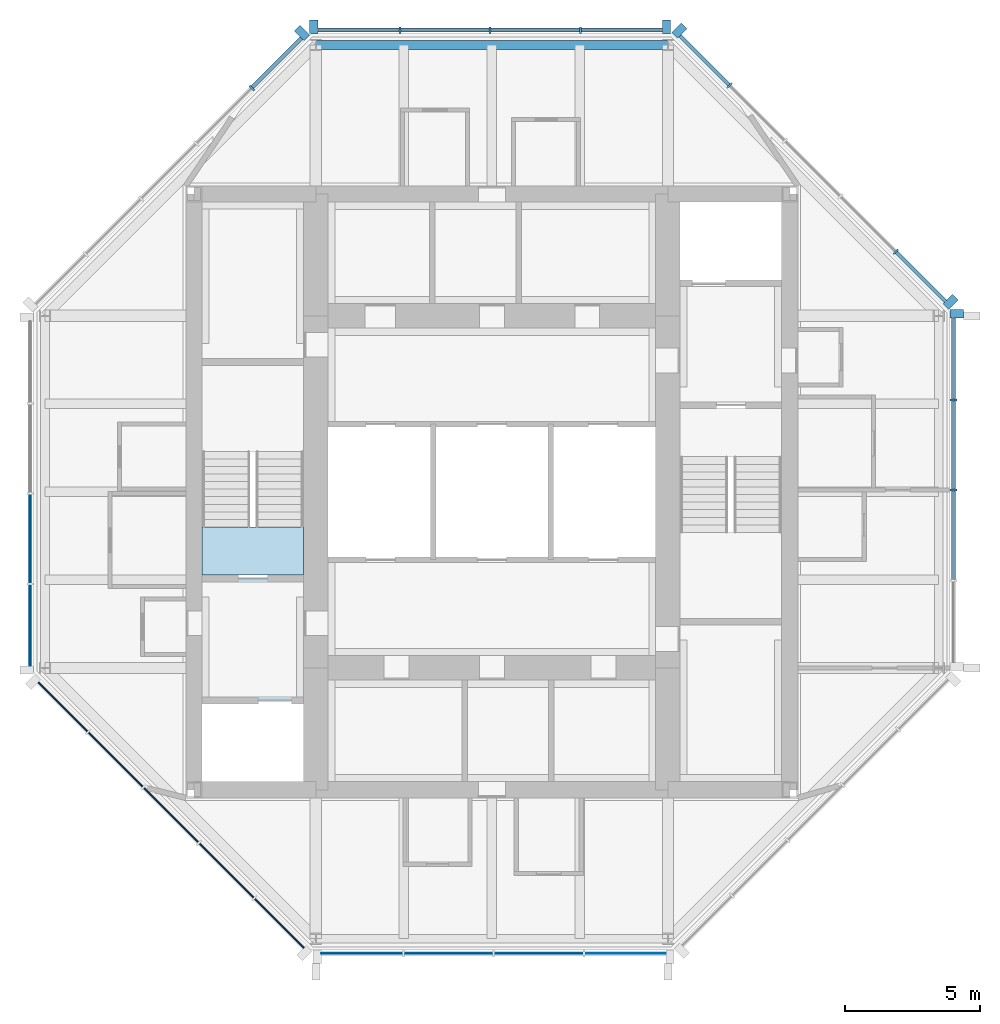
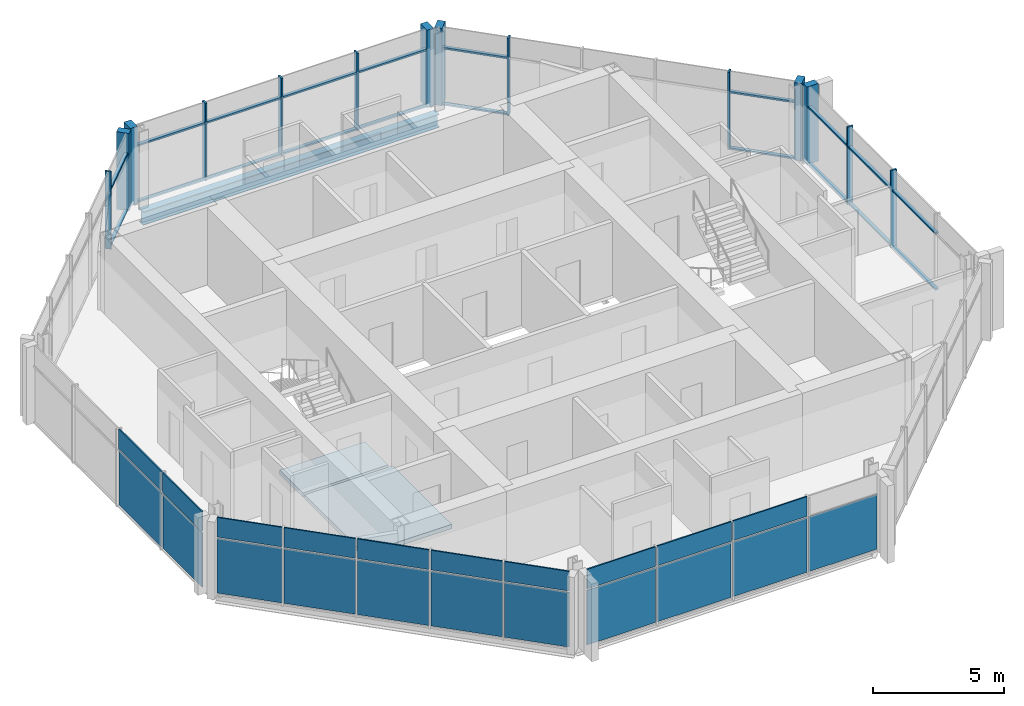
# One storey, part 3 of 8: 34 members, 21 plates, 2 slabs, 1 beam, 8 elements without a shape of their own.
"""IFC4 building model written with IfcOpenShell, lengths in metres."""

import ifcopenshell
import ifcopenshell.guid

model = None  # the IFC model being written
_history = None  # IfcOwnerHistory: only IFC2X3 demands one
_inside = {}  # id of a spatial element -> (the spatial element, [elements in it])
_under = {}  # id of a project, library or spatial element -> (it, [spatial elements below it])
_declared = {}  # id of a project -> (the project, [libraries it declares])
_typed = {}  # id of a type object -> (the type object, [elements of that type])
_made_of = {}  # id of a material, layer set ... -> (it, [elements and type objects made of it])


def new_model(schema):
    """Start an empty IFC model of exactly this schema.

    Asked for "IFC4X3", IfcOpenShell would pick the latest addendum, in which some entities
    have other attributes; the version numbers below select the first issue.
    IFC2X3 requires an IfcOwnerHistory on every rooted entity: one is made here for all.
    """
    global model, _history
    if schema == "IFC4X3":
        model = ifcopenshell.file(schema_version=(4, 3, 0, 0))
    else:
        model = ifcopenshell.file(schema=schema)
    _inside.clear()
    _under.clear()
    _declared.clear()
    _typed.clear()
    _made_of.clear()
    _history = None
    if model.schema == "IFC2X3":
        org = make("IfcOrganization", Name="unknown")
        user = make(
            "IfcPersonAndOrganization",
            ThePerson=make("IfcPerson", FamilyName="unknown"),
            TheOrganization=org,
        )
        app = make(
            "IfcApplication",
            ApplicationDeveloper=org,
            Version="unknown",
            ApplicationFullName="unknown",
            ApplicationIdentifier="unknown",
        )
        _history = make(
            "IfcOwnerHistory",
            OwningUser=user,
            OwningApplication=app,
            ChangeAction="ADDED",
            CreationDate=0,
        )
    return model


def make(cls, **values):
    """One entity of the class cls with the attributes given. An attribute that is None is left unset."""
    return model.create_entity(
        cls, **{name: value for name, value in values.items() if value is not None}
    )


def rooted(cls, **values):
    """An entity with a GlobalId (a new one), such as an element, a storey or a relation."""
    return make(cls, GlobalId=ifcopenshell.guid.new(), OwnerHistory=_history, **values)


def si_unit(unit_type, name, prefix=None):
    """IfcSIUnit, for example si_unit("LENGTHUNIT", "METRE", prefix="MILLI")."""
    return make("IfcSIUnit", UnitType=unit_type, Prefix=prefix, Name=name)


def assignment(units):
    """IfcUnitAssignment: the units of a project."""
    return None if units is None else make("IfcUnitAssignment", Units=units)


def point(xyz):
    """IfcCartesianPoint."""
    return None if xyz is None else make("IfcCartesianPoint", Coordinates=xyz)


def direction(xyz):
    """IfcDirection."""
    return None if xyz is None else make("IfcDirection", DirectionRatios=xyz)


def frame(location, z_axis=None, x_axis=None):
    """IfcAxis2Placement3D, a coordinate frame: its origin and axes. An axis left out is left unset."""
    return make(
        "IfcAxis2Placement3D",
        Location=point(location),
        Axis=direction(z_axis),
        RefDirection=direction(x_axis),
    )


def frame_2d(location, x_axis=None):
    """IfcAxis2Placement2D, a coordinate frame in the plane: its origin and x axis."""
    return make(
        "IfcAxis2Placement2D", Location=point(location), RefDirection=direction(x_axis)
    )


def origin():
    """The frame at (0, 0, 0) with its axes left unset."""
    return frame((0.0, 0.0, 0.0))


def origin_2d():
    """The frame at (0, 0) in the plane with its x axis left unset."""
    return frame_2d((0.0, 0.0))


def place(relative_to, where):
    """IfcLocalPlacement: puts the frame where relative to a parent placement (None: the world)."""
    return make(
        "IfcLocalPlacement", PlacementRelTo=relative_to, RelativePlacement=where
    )


def context(
    kind, dimensions, precision=None, world=None, true_north=None, identifier=None
):
    """IfcGeometricRepresentationContext, for example the 3D "Model" context."""
    return make(
        "IfcGeometricRepresentationContext",
        ContextIdentifier=identifier,
        ContextType=kind,
        CoordinateSpaceDimension=dimensions,
        Precision=precision,
        WorldCoordinateSystem=world,
        TrueNorth=true_north,
    )


def subcontext(parent, identifier, kind, view, scale=None):
    """IfcGeometricRepresentationSubContext, for example "Body" below "Model"."""
    return make(
        "IfcGeometricRepresentationSubContext",
        ContextIdentifier=identifier,
        ContextType=kind,
        ParentContext=parent,
        TargetScale=scale,
        TargetView=view,
    )


def project(units=None, contexts=None):
    """IfcProject with its units and contexts."""
    return rooted(
        "IfcProject",
        Name="project",
        RepresentationContexts=contexts,
        UnitsInContext=assignment(units),
    )


def spatial(cls, under=None, at=None, **own):
    """A site, building, storey or space (cls), placed at a placement, below another one or the project."""
    s = rooted(cls, ObjectPlacement=at, **own)
    if under is not None:
        _under.setdefault(under.id(), (under, []))[1].append(s)
    return s


def polyline(points):
    """IfcPolyline through the points."""
    return make("IfcPolyline", Points=[point(p) for p in points])


def profile(cls, at=None, kind="AREA", **sizes):
    """A parametric profile (cls). Its sizes go by their IFC names, for example OverallWidth=200.0."""
    return make(cls, ProfileType=kind, Position=at, **sizes)


def rectangle(**sizes):
    """IfcRectangleProfileDef."""
    return profile("IfcRectangleProfileDef", **sizes)


def i_section(**sizes):
    """IfcIShapeProfileDef."""
    return profile("IfcIShapeProfileDef", **sizes)


def outline(outer, holes=None, kind="AREA"):
    """IfcArbitraryClosedProfileDef: a profile drawn as a closed curve; with holes, ...WithVoids."""
    if holes is None:
        return make("IfcArbitraryClosedProfileDef", ProfileType=kind, OuterCurve=outer)
    return make(
        "IfcArbitraryProfileDefWithVoids",
        ProfileType=kind,
        OuterCurve=outer,
        InnerCurves=holes,
    )


def extrude(swept, where, along, depth):
    """IfcExtrudedAreaSolid: the profile swept, set in the frame where, extruded along a direction by depth."""
    return make(
        "IfcExtrudedAreaSolid",
        SweptArea=swept,
        Position=where,
        ExtrudedDirection=direction(along),
        Depth=depth,
    )


def shape(context_of_items, identifier, shape_type, items):
    """IfcShapeRepresentation: the items that make up one representation, for example the "Body"."""
    return make(
        "IfcShapeRepresentation",
        ContextOfItems=context_of_items,
        RepresentationIdentifier=identifier,
        RepresentationType=shape_type,
        Items=items,
    )


def material(Name=None, Category=None):
    """IfcMaterial."""
    return make("IfcMaterial", Name=Name, Category=Category)


def layer(
    of_material, thickness, ventilated=None, Name=None, Category=None, Priority=None
):
    """IfcMaterialLayer: one layer of a wall or slab, of a material (None: an air gap)."""
    return make(
        "IfcMaterialLayer",
        Material=of_material,
        LayerThickness=thickness,
        IsVentilated=ventilated,
        Name=Name,
        Category=Category,
        Priority=Priority,
    )


def layer_set(layers, Name=None):
    """IfcMaterialLayerSet."""
    return make("IfcMaterialLayerSet", MaterialLayers=layers, LayerSetName=Name)


def material_profile(
    of_material, cross_section, Name=None, Category=None, Priority=None
):
    """IfcMaterialProfile: a cross section and its material."""
    return make(
        "IfcMaterialProfile",
        Name=Name,
        Material=of_material,
        Profile=cross_section,
        Priority=Priority,
        Category=Category,
    )


def profile_set(profiles, Name=None, composite=None):
    """IfcMaterialProfileSet."""
    return make(
        "IfcMaterialProfileSet",
        Name=Name,
        MaterialProfiles=profiles,
        CompositeProfile=composite,
    )


def made_of(thing, what):
    """Note that an element or type object is made of a material, layer set ...; save() writes the relation."""
    if what is not None:
        _made_of.setdefault(what.id(), (what, []))[1].append(thing)
    return thing


def type_object(cls, material=None, **own):
    """A type object (cls), such as IfcWallType, which elements share."""
    return made_of(rooted(cls, **own), material)


def element(
    cls,
    number,
    at=None,
    inside=None,
    cuts=None,
    type_object=None,
    material=None,
    context=None,
    identifier="Body",
    shape_type=None,
    held_by="IfcProductDefinitionShape",
    body=None,
    shapes=None,
    **own,
):
    """One element of the class cls, such as IfcWall. Its Tag is "e" and its number.

    at: its placement. inside: the storey or other place that contains it. cuts: it is an
    opening in that element (IfcRelVoidsElement). A single representation is given by context,
    identifier, shape_type and body (its items); several are given by shapes. held_by: the class
    of the entity that holds the representations. save() writes the other relations.
    """
    e = rooted(cls, Tag="e%d" % number, ObjectPlacement=at, **own)
    if body is not None:
        shapes = [shape(context, identifier, shape_type, body)]
    if shapes is not None:
        e.Representation = make(held_by, Representations=shapes)
    if inside is not None:
        _inside.setdefault(inside.id(), (inside, []))[1].append(e)
    if cuts is not None:
        rooted(
            "IfcRelVoidsElement", RelatingBuildingElement=cuts, RelatedOpeningElement=e
        )
    if type_object is not None:
        _typed.setdefault(type_object.id(), (type_object, []))[1].append(e)
    return made_of(e, material)


def aggregate(whole, parts):
    """IfcRelAggregates: a whole, such as a stair, and the parts it consists of."""
    return rooted("IfcRelAggregates", RelatingObject=whole, RelatedObjects=parts)


def save(model, path):
    """Write the relations noted so far, then the file.

    IfcRelAggregates (storeys below a building ...), IfcRelContainedInSpatialStructure (elements
    in a storey), IfcRelDefinesByType, IfcRelAssociatesMaterial and IfcRelDeclares: one each for
    every whole, place, type object, material and project.
    """
    for whole, parts in _under.values():
        aggregate(whole, parts)
    for where, things in _inside.values():
        rooted(
            "IfcRelContainedInSpatialStructure",
            RelatedElements=things,
            RelatingStructure=where,
        )
    for kind, things in _typed.values():
        rooted("IfcRelDefinesByType", RelatedObjects=things, RelatingType=kind)
    for what, things in _made_of.values():
        rooted("IfcRelAssociatesMaterial", RelatedObjects=things, RelatingMaterial=what)
    for by, libraries in _declared.values():
        rooted("IfcRelDeclares", RelatingContext=by, RelatedDefinitions=libraries)
    model.write(path)


model = new_model("IFC4")

# Units and contexts
model_context = context("Model", 3, precision=1e-05, world=origin(), true_north=direction((0.0, 1.0)))
body_context = subcontext(model_context, "Body", "Model", "MODEL_VIEW")
ifc_project = project(units=[si_unit("LENGTHUNIT", "METRE"), si_unit("AREAUNIT", "SQUARE_METRE"), si_unit("VOLUMEUNIT", "CUBIC_METRE"), si_unit("PLANEANGLEUNIT", "RADIAN"), si_unit("MASSUNIT", "GRAM", prefix="KILO")], contexts=[model_context])

# Site, building, storey
site_placement = place(None, origin())
site = spatial("IfcSite", under=ifc_project, at=site_placement, CompositionType="ELEMENT")
building_placement = place(site_placement, origin())
building = spatial("IfcBuilding", under=site, at=building_placement, Name="Trevanion Tower", CompositionType="ELEMENT")
storey_placement = place(building_placement, frame((0.0, 0.0, 266.800048828125)))
storey = spatial("IfcBuildingStorey", under=building, at=storey_placement, Name="L65", CompositionType="ELEMENT", Elevation=266.800048828125)

# Curtain wall, members
ifc_material_1 = material(Name="Aluminium and glass", Category="aluminium")
curtain_wall_type = type_object("IfcCurtainWallType", Name="CW4 curtain wall", PredefinedType="USERDEFINED", material=ifc_material_1)
curtain_wall_1_placement = place(storey_placement, origin())
curtain_wall_1 = element("IfcCurtainWall", 1, at=curtain_wall_1_placement, inside=storey, type_object=curtain_wall_type, Name="CW4 L65 0", ObjectType="UNITISED CURTAIN WALL", PredefinedType="USERDEFINED")
ifc_material_2 = material(Name="Aluminium extrusion, anodised bronze", Category="aluminium")
ifc_material_profile_1 = material_profile(ifc_material_2, rectangle(XDim=0.074951171875, YDim=0.25, at=origin_2d()), Name="CW4 mullion")
ifc_profile_set_1 = profile_set([ifc_material_profile_1], Name="Aluminium extrusion, anodised bronze")
member_type_1 = type_object("IfcMemberType", Name="CW4 mullion", PredefinedType="MULLION", material=ifc_profile_set_1)
member_1_placement = place(storey_placement, frame((17.050048828125, 0.06494140625, -0.18994140625), z_axis=(0.0, 0.0, 1.0), x_axis=(0.0, 1.0, 0.0)))
member_1 = element("IfcMember", 2, at=member_1_placement, type_object=member_type_1, Name="CW4 mullion 3", PredefinedType="MULLION", context=body_context, shape_type="SweptSolid", body=[
    extrude(rectangle(XDim=0.074951171875, YDim=0.25, at=origin_2d()), origin(), (0.0, 0.0, 1.0), 3.599853515625),
])
member_2_placement = place(storey_placement, frame((17.050048828125, 3.396484375, -0.18994140625), z_axis=(0.0, 0.0, 1.0), x_axis=(0.0, 1.0, 0.0)))
member_2 = element("IfcMember", 3, at=member_2_placement, type_object=member_type_1, Name="CW4 mullion 4", PredefinedType="MULLION", context=body_context, shape_type="SweptSolid", body=[
    extrude(rectangle(XDim=0.074951171875, YDim=0.25, at=origin_2d()), origin(), (0.0, 0.0, 1.0), 3.599853515625),
])

curtain_wall_2_placement = place(storey_placement, origin())
curtain_wall_2 = element("IfcCurtainWall", 4, at=curtain_wall_2_placement, inside=storey, type_object=curtain_wall_type, Name="CW4 L65 1", ObjectType="UNITISED CURTAIN WALL", PredefinedType="USERDEFINED")
member_3_placement = place(storey_placement, frame((14.912109375, 8.86572265625, -0.18994140625), z_axis=(0.0, 0.0, 1.0), x_axis=(-0.707106781187, 0.707106781187, 0.0)))
member_3 = element("IfcMember", 5, at=member_3_placement, type_object=member_type_1, Name="CW4 mullion 2", PredefinedType="MULLION", context=body_context, shape_type="SweptSolid", body=[
    extrude(rectangle(XDim=0.074951171875, YDim=0.25, at=origin_2d()), origin(), (0.0, 0.0, 1.0), 3.599853515625),
])
member_4_placement = place(storey_placement, frame((8.77392578125, 15.00390625, -0.18994140625), z_axis=(0.0, 0.0, 1.0), x_axis=(-0.707106781187, 0.707106781187, 0.0)))
member_4 = element("IfcMember", 6, at=member_4_placement, type_object=member_type_1, Name="CW4 mullion 5", PredefinedType="MULLION", context=body_context, shape_type="SweptSolid", body=[
    extrude(rectangle(XDim=0.074951171875, YDim=0.25, at=origin_2d()), origin(), (0.0, 0.0, 1.0), 3.599853515625),
])

curtain_wall_3_placement = place(storey_placement, origin())
curtain_wall_3 = element("IfcCurtainWall", 7, at=curtain_wall_3_placement, inside=storey, type_object=curtain_wall_type, Name="CW4 L65 2", ObjectType="UNITISED CURTAIN WALL", PredefinedType="USERDEFINED")
member_5_placement = place(storey_placement, frame((3.266357421875, 17.050048828125, -0.18994140625), z_axis=(0.0, 0.0, 1.0), x_axis=(-1.0, 0.0, 0.0)))
member_5 = element("IfcMember", 8, at=member_5_placement, type_object=member_type_1, Name="CW4 mullion 2", PredefinedType="MULLION", context=body_context, shape_type="SweptSolid", body=[
    extrude(rectangle(XDim=0.074951171875, YDim=0.25, at=origin_2d()), origin(), (0.0, 0.0, 1.0), 3.599853515625),
])
member_6_placement = place(storey_placement, frame((-0.06494140625, 17.050048828125, -0.18994140625), z_axis=(0.0, 0.0, 1.0), x_axis=(-1.0, 0.0, 0.0)))
member_6 = element("IfcMember", 9, at=member_6_placement, type_object=member_type_1, Name="CW4 mullion 3", PredefinedType="MULLION", context=body_context, shape_type="SweptSolid", body=[
    extrude(rectangle(XDim=0.074951171875, YDim=0.25, at=origin_2d()), origin(), (0.0, 0.0, 1.0), 3.599853515625),
])
member_7_placement = place(storey_placement, frame((-3.396484375, 17.050048828125, -0.18994140625), z_axis=(0.0, 0.0, 1.0), x_axis=(-1.0, 0.0, 0.0)))
member_7 = element("IfcMember", 10, at=member_7_placement, type_object=member_type_1, Name="CW4 mullion 4", PredefinedType="MULLION", context=body_context, shape_type="SweptSolid", body=[
    extrude(rectangle(XDim=0.074951171875, YDim=0.25, at=origin_2d()), origin(), (0.0, 0.0, 1.0), 3.599853515625),
])

# Curtain wall, member
curtain_wall_4_placement = place(storey_placement, origin())
curtain_wall_4 = element("IfcCurtainWall", 11, at=curtain_wall_4_placement, inside=storey, type_object=curtain_wall_type, Name="CW4 L65 3", ObjectType="UNITISED CURTAIN WALL", PredefinedType="USERDEFINED")
member_8_placement = place(storey_placement, frame((-8.86572265625, 14.912109375, -0.18994140625), z_axis=(0.0, 0.0, 1.0), x_axis=(-0.707106781187, -0.707106781187, 0.0)))
member_8 = element("IfcMember", 12, at=member_8_placement, type_object=member_type_1, Name="CW4 mullion 2", PredefinedType="MULLION", context=body_context, shape_type="SweptSolid", body=[
    extrude(rectangle(XDim=0.074951171875, YDim=0.25, at=origin_2d()), origin(), (0.0, 0.0, 1.0), 3.599853515625),
])

# Member
ifc_material_3 = material(Name="Aluminium extrusion, anodised bronze", Category="aluminium")
ifc_material_profile_2 = material_profile(ifc_material_3, rectangle(XDim=0.300048828125, YDim=0.5, at=origin_2d()), Name="CW4 pier mullion")
ifc_profile_set_2 = profile_set([ifc_material_profile_2], Name="Aluminium extrusion, anodised bronze")
member_type_2 = type_object("IfcMemberType", Name="CW4 pier mullion", PredefinedType="MULLION", material=ifc_profile_set_2)
member_9_placement = place(storey_placement, frame((17.175048828125, 6.577880859375, -0.18994140625), z_axis=(0.0, 0.0, 1.0), x_axis=(0.0, 1.0, 0.0)))
member_9 = element("IfcMember", 13, at=member_9_placement, type_object=member_type_2, Name="CW4 pier mullion 5", PredefinedType="MULLION", context=body_context, shape_type="SweptSolid", body=[
    extrude(rectangle(XDim=0.300048828125, YDim=0.5, at=origin_2d()), origin(), (0.0, 0.0, 1.0), 3.599853515625),
])

member_10_placement = place(storey_placement, frame((16.9404296875, 7.01416015625, -0.18994140625), z_axis=(0.0, 0.0, 1.0), x_axis=(-0.707106781187, 0.707106781187, 0.0)))
member_10 = element("IfcMember", 14, at=member_10_placement, type_object=member_type_2, Name="CW4 pier mullion 1", PredefinedType="MULLION", context=body_context, shape_type="SweptSolid", body=[
    extrude(rectangle(XDim=0.300048828125, YDim=0.5, at=origin_2d()), origin(), (0.0, 0.0, 1.0), 3.599853515625),
])

member_11_placement = place(storey_placement, frame((6.92236328125, 17.0322265625, -0.18994140625), z_axis=(0.0, 0.0, 1.0), x_axis=(-0.707106781187, 0.707106781187, 0.0)))
member_11 = element("IfcMember", 15, at=member_11_placement, type_object=member_type_2, Name="CW4 pier mullion 6", PredefinedType="MULLION", context=body_context, shape_type="SweptSolid", body=[
    extrude(rectangle(XDim=0.300048828125, YDim=0.5, at=origin_2d()), origin(), (0.0, 0.0, 1.0), 3.599853515625),
])

member_12_placement = place(storey_placement, frame((6.44775390625, 17.175048828125, -0.18994140625), z_axis=(0.0, 0.0, 1.0), x_axis=(-1.0, 0.0, 0.0)))
member_12 = element("IfcMember", 16, at=member_12_placement, type_object=member_type_2, Name="CW4 pier mullion 1", PredefinedType="MULLION", context=body_context, shape_type="SweptSolid", body=[
    extrude(rectangle(XDim=0.300048828125, YDim=0.5, at=origin_2d()), origin(), (0.0, 0.0, 1.0), 3.599853515625),
])

member_13_placement = place(storey_placement, frame((-6.577880859375, 17.175048828125, -0.18994140625), z_axis=(0.0, 0.0, 1.0), x_axis=(-1.0, 0.0, 0.0)))
member_13 = element("IfcMember", 17, at=member_13_placement, type_object=member_type_2, Name="CW4 pier mullion 5", PredefinedType="MULLION", context=body_context, shape_type="SweptSolid", body=[
    extrude(rectangle(XDim=0.300048828125, YDim=0.5, at=origin_2d()), origin(), (0.0, 0.0, 1.0), 3.599853515625),
])

member_14_placement = place(storey_placement, frame((-7.01416015625, 16.9404296875, -0.18994140625), z_axis=(0.0, 0.0, 1.0), x_axis=(-0.707106781187, -0.707106781187, 0.0)))
member_14 = element("IfcMember", 18, at=member_14_placement, type_object=member_type_2, Name="CW4 pier mullion 1", PredefinedType="MULLION", context=body_context, shape_type="SweptSolid", body=[
    extrude(rectangle(XDim=0.300048828125, YDim=0.5, at=origin_2d()), origin(), (0.0, 0.0, 1.0), 3.599853515625),
])

ifc_material_4 = material(Name="Aluminium extrusion, anodised bronze", Category="aluminium")
ifc_material_profile_3 = material_profile(ifc_material_4, rectangle(XDim=0.14990234375, YDim=0.074951171875, at=origin_2d()), Name="CW4 transom")
ifc_profile_set_3 = profile_set([ifc_material_profile_3], Name="Aluminium extrusion, anodised bronze")
member_type_3 = type_object("IfcMemberType", Name="CW4 transom", PredefinedType="USERDEFINED", material=ifc_profile_set_3)
member_15_placement = place(storey_placement, frame((17.050048828125, -3.22900390625, -0.152587890625), z_axis=(0.0, 1.0, 0.0), x_axis=(-1.0, 0.0, 0.0)))
member_15 = element("IfcMember", 19, at=member_15_placement, type_object=member_type_3, Name="CW4 transom 2.1", ObjectType="TRANSOM", PredefinedType="USERDEFINED", context=body_context, shape_type="SweptSolid", body=[
    extrude(rectangle(XDim=0.14990234375, YDim=0.074951171875, at=origin_2d()), origin(), (0.0, 0.0, 1.0), 3.256591796875),
])

member_16_placement = place(storey_placement, frame((17.050048828125, -3.22900390625, 2.4599609375), z_axis=(0.0, 1.0, 0.0), x_axis=(-1.0, 0.0, 0.0)))
member_16 = element("IfcMember", 20, at=member_16_placement, type_object=member_type_3, Name="CW4 transom 2.2", ObjectType="TRANSOM", PredefinedType="USERDEFINED", context=body_context, shape_type="SweptSolid", body=[
    extrude(rectangle(XDim=0.14990234375, YDim=0.074951171875, at=origin_2d()), origin(), (0.0, 0.0, 1.0), 3.256591796875),
])

member_17_placement = place(storey_placement, frame((17.050048828125, 0.1025390625, -0.152587890625), z_axis=(0.0, 1.0, 0.0), x_axis=(-1.0, 0.0, 0.0)))
member_17 = element("IfcMember", 21, at=member_17_placement, type_object=member_type_3, Name="CW4 transom 3.1", ObjectType="TRANSOM", PredefinedType="USERDEFINED", context=body_context, shape_type="SweptSolid", body=[
    extrude(rectangle(XDim=0.14990234375, YDim=0.074951171875, at=origin_2d()), origin(), (0.0, 0.0, 1.0), 3.25634765625),
])

member_18_placement = place(storey_placement, frame((17.050048828125, 0.1025390625, 2.4599609375), z_axis=(0.0, 1.0, 0.0), x_axis=(-1.0, 0.0, 0.0)))
member_18 = element("IfcMember", 22, at=member_18_placement, type_object=member_type_3, Name="CW4 transom 3.2", ObjectType="TRANSOM", PredefinedType="USERDEFINED", context=body_context, shape_type="SweptSolid", body=[
    extrude(rectangle(XDim=0.14990234375, YDim=0.074951171875, at=origin_2d()), origin(), (0.0, 0.0, 1.0), 3.25634765625),
])

member_19_placement = place(storey_placement, frame((17.050048828125, 3.433837890625, -0.152587890625), z_axis=(0.0, 1.0, 0.0), x_axis=(-1.0, 0.0, 0.0)))
member_19 = element("IfcMember", 23, at=member_19_placement, type_object=member_type_3, Name="CW4 transom 4.1", ObjectType="TRANSOM", PredefinedType="USERDEFINED", context=body_context, shape_type="SweptSolid", body=[
    extrude(rectangle(XDim=0.14990234375, YDim=0.074951171875, at=origin_2d()), origin(), (0.0, 0.0, 1.0), 2.993896484375),
])

member_20_placement = place(storey_placement, frame((17.050048828125, 3.433837890625, 2.4599609375), z_axis=(0.0, 1.0, 0.0), x_axis=(-1.0, 0.0, 0.0)))
member_20 = element("IfcMember", 24, at=member_20_placement, type_object=member_type_3, Name="CW4 transom 4.2", ObjectType="TRANSOM", PredefinedType="USERDEFINED", context=body_context, shape_type="SweptSolid", body=[
    extrude(rectangle(XDim=0.14990234375, YDim=0.074951171875, at=origin_2d()), origin(), (0.0, 0.0, 1.0), 2.993896484375),
])

aggregate(curtain_wall_1, [member_1, member_2, member_9, member_15, member_16, member_17, member_18, member_19, member_20])

member_21_placement = place(storey_placement, frame((16.745849609375, 7.031982421875, -0.152587890625), z_axis=(-0.707106781187, 0.707106781187, 0.0), x_axis=(-0.707106781187, -0.707106781187, 0.0)))
member_21 = element("IfcMember", 25, at=member_21_placement, type_object=member_type_3, Name="CW4 transom 1.1", ObjectType="TRANSOM", PredefinedType="USERDEFINED", context=body_context, shape_type="SweptSolid", body=[
    extrude(rectangle(XDim=0.14990234375, YDim=0.074951171875, at=origin_2d()), origin(), (0.0, 0.0, 1.0), 2.555908203125),
])

member_22_placement = place(storey_placement, frame((16.745849609375, 7.031982421875, 2.4599609375), z_axis=(-0.707106781187, 0.707106781187, 0.0), x_axis=(-0.707106781187, -0.707106781187, 0.0)))
member_22 = element("IfcMember", 26, at=member_22_placement, type_object=member_type_3, Name="CW4 transom 1.2", ObjectType="TRANSOM", PredefinedType="USERDEFINED", context=body_context, shape_type="SweptSolid", body=[
    extrude(rectangle(XDim=0.14990234375, YDim=0.074951171875, at=origin_2d()), origin(), (0.0, 0.0, 1.0), 2.555908203125),
])

member_23_placement = place(storey_placement, frame((8.747314453125, 15.030517578125, -0.152587890625), z_axis=(-0.707106781187, 0.707106781187, 0.0), x_axis=(-0.707106781187, -0.707106781187, 0.0)))
member_23 = element("IfcMember", 27, at=member_23_placement, type_object=member_type_3, Name="CW4 transom 5.1", ObjectType="TRANSOM", PredefinedType="USERDEFINED", context=body_context, shape_type="SweptSolid", body=[
    extrude(rectangle(XDim=0.14990234375, YDim=0.074951171875, at=origin_2d()), origin(), (0.0, 0.0, 1.0), 2.555908203125),
])

member_24_placement = place(storey_placement, frame((8.747314453125, 15.030517578125, 2.4599609375), z_axis=(-0.707106781187, 0.707106781187, 0.0), x_axis=(-0.707106781187, -0.707106781187, 0.0)))
member_24 = element("IfcMember", 28, at=member_24_placement, type_object=member_type_3, Name="CW4 transom 5.2", ObjectType="TRANSOM", PredefinedType="USERDEFINED", context=body_context, shape_type="SweptSolid", body=[
    extrude(rectangle(XDim=0.14990234375, YDim=0.074951171875, at=origin_2d()), origin(), (0.0, 0.0, 1.0), 2.555908203125),
])

aggregate(curtain_wall_2, [member_10, member_3, member_4, member_11, member_21, member_22, member_23, member_24])

member_25_placement = place(storey_placement, frame((6.2978515625, 17.050048828125, -0.152587890625), z_axis=(-1.0, 0.0, 0.0), x_axis=(0.0, -1.0, 0.0)))
member_25 = element("IfcMember", 29, at=member_25_placement, type_object=member_type_3, Name="CW4 transom 1.1", ObjectType="TRANSOM", PredefinedType="USERDEFINED", context=body_context, shape_type="SweptSolid", body=[
    extrude(rectangle(XDim=0.14990234375, YDim=0.074951171875, at=origin_2d()), origin(), (0.0, 0.0, 1.0), 2.993896484375),
])

member_26_placement = place(storey_placement, frame((6.2978515625, 17.050048828125, 2.4599609375), z_axis=(-1.0, 0.0, 0.0), x_axis=(0.0, -1.0, 0.0)))
member_26 = element("IfcMember", 30, at=member_26_placement, type_object=member_type_3, Name="CW4 transom 1.2", ObjectType="TRANSOM", PredefinedType="USERDEFINED", context=body_context, shape_type="SweptSolid", body=[
    extrude(rectangle(XDim=0.14990234375, YDim=0.074951171875, at=origin_2d()), origin(), (0.0, 0.0, 1.0), 2.993896484375),
])

member_27_placement = place(storey_placement, frame((3.22900390625, 17.050048828125, -0.152587890625), z_axis=(-1.0, 0.0, 0.0), x_axis=(0.0, -1.0, 0.0)))
member_27 = element("IfcMember", 31, at=member_27_placement, type_object=member_type_3, Name="CW4 transom 2.1", ObjectType="TRANSOM", PredefinedType="USERDEFINED", context=body_context, shape_type="SweptSolid", body=[
    extrude(rectangle(XDim=0.14990234375, YDim=0.074951171875, at=origin_2d()), origin(), (0.0, 0.0, 1.0), 3.256591796875),
])

member_28_placement = place(storey_placement, frame((3.22900390625, 17.050048828125, 2.4599609375), z_axis=(-1.0, 0.0, 0.0), x_axis=(0.0, -1.0, 0.0)))
member_28 = element("IfcMember", 32, at=member_28_placement, type_object=member_type_3, Name="CW4 transom 2.2", ObjectType="TRANSOM", PredefinedType="USERDEFINED", context=body_context, shape_type="SweptSolid", body=[
    extrude(rectangle(XDim=0.14990234375, YDim=0.074951171875, at=origin_2d()), origin(), (0.0, 0.0, 1.0), 3.256591796875),
])

member_29_placement = place(storey_placement, frame((-0.1025390625, 17.050048828125, -0.152587890625), z_axis=(-1.0, 0.0, 0.0), x_axis=(0.0, -1.0, 0.0)))
member_29 = element("IfcMember", 33, at=member_29_placement, type_object=member_type_3, Name="CW4 transom 3.1", ObjectType="TRANSOM", PredefinedType="USERDEFINED", context=body_context, shape_type="SweptSolid", body=[
    extrude(rectangle(XDim=0.14990234375, YDim=0.074951171875, at=origin_2d()), origin(), (0.0, 0.0, 1.0), 3.25634765625),
])

member_30_placement = place(storey_placement, frame((-0.1025390625, 17.050048828125, 2.4599609375), z_axis=(-1.0, 0.0, 0.0), x_axis=(0.0, -1.0, 0.0)))
member_30 = element("IfcMember", 34, at=member_30_placement, type_object=member_type_3, Name="CW4 transom 3.2", ObjectType="TRANSOM", PredefinedType="USERDEFINED", context=body_context, shape_type="SweptSolid", body=[
    extrude(rectangle(XDim=0.14990234375, YDim=0.074951171875, at=origin_2d()), origin(), (0.0, 0.0, 1.0), 3.25634765625),
])

member_31_placement = place(storey_placement, frame((-3.433837890625, 17.050048828125, -0.152587890625), z_axis=(-1.0, 0.0, 0.0), x_axis=(0.0, -1.0, 0.0)))
member_31 = element("IfcMember", 35, at=member_31_placement, type_object=member_type_3, Name="CW4 transom 4.1", ObjectType="TRANSOM", PredefinedType="USERDEFINED", context=body_context, shape_type="SweptSolid", body=[
    extrude(rectangle(XDim=0.14990234375, YDim=0.074951171875, at=origin_2d()), origin(), (0.0, 0.0, 1.0), 2.993896484375),
])

member_32_placement = place(storey_placement, frame((-3.433837890625, 17.050048828125, 2.4599609375), z_axis=(-1.0, 0.0, 0.0), x_axis=(0.0, -1.0, 0.0)))
member_32 = element("IfcMember", 36, at=member_32_placement, type_object=member_type_3, Name="CW4 transom 4.2", ObjectType="TRANSOM", PredefinedType="USERDEFINED", context=body_context, shape_type="SweptSolid", body=[
    extrude(rectangle(XDim=0.14990234375, YDim=0.074951171875, at=origin_2d()), origin(), (0.0, 0.0, 1.0), 2.993896484375),
])

aggregate(curtain_wall_3, [member_12, member_5, member_6, member_7, member_13, member_25, member_26, member_27, member_28, member_29, member_30, member_31, member_32])

member_33_placement = place(storey_placement, frame((-7.031982421875, 16.745849609375, -0.152587890625), z_axis=(-0.707106781187, -0.707106781187, 0.0), x_axis=(0.707106781187, -0.707106781187, 0.0)))
member_33 = element("IfcMember", 37, at=member_33_placement, type_object=member_type_3, Name="CW4 transom 1.1", ObjectType="TRANSOM", PredefinedType="USERDEFINED", context=body_context, shape_type="SweptSolid", body=[
    extrude(rectangle(XDim=0.14990234375, YDim=0.074951171875, at=origin_2d()), origin(), (0.0, 0.0, 1.0), 2.555908203125),
])

member_34_placement = place(storey_placement, frame((-7.031982421875, 16.745849609375, 2.4599609375), z_axis=(-0.707106781187, -0.707106781187, 0.0), x_axis=(0.707106781187, -0.707106781187, 0.0)))
member_34 = element("IfcMember", 38, at=member_34_placement, type_object=member_type_3, Name="CW4 transom 1.2", ObjectType="TRANSOM", PredefinedType="USERDEFINED", context=body_context, shape_type="SweptSolid", body=[
    extrude(rectangle(XDim=0.14990234375, YDim=0.074951171875, at=origin_2d()), origin(), (0.0, 0.0, 1.0), 2.555908203125),
])

aggregate(curtain_wall_4, [member_14, member_8, member_33, member_34])

# Beam
ifc_material_5 = material(Name="Steel ASTM A992 Grade 50", Category="steel")
ifc_material_profile_4 = material_profile(ifc_material_5, i_section(OverallWidth=0.32763671875, OverallDepth=0.622314453125, WebThickness=0.015380859375, FlangeThickness=0.0244140625, at=origin_2d()), Name="W24X131")
ifc_profile_set_4 = profile_set([ifc_material_profile_4], Name="Steel ASTM A992 Grade 50")
beam_type = type_object("IfcBeamType", Name="SB12 W24X131", PredefinedType="SPANDREL", material=ifc_profile_set_4)
beam_placement = place(storey_placement, frame((6.5, 16.5, -0.501220703125), z_axis=(-1.0, 0.0, 0.0), x_axis=(0.0, -1.0, 0.0)))
element("IfcBeam", 39, at=beam_placement, inside=storey, type_object=beam_type, Name="SB12 L65", PredefinedType="SPANDREL", context=body_context, shape_type="SweptSolid", body=[
    extrude(i_section(OverallWidth=0.32763671875, OverallDepth=0.622314453125, WebThickness=0.015380859375, FlangeThickness=0.0244140625, at=origin_2d()), origin(), (0.0, 0.0, 1.0), 13.0),
])

# Curtain wall, plates
curtain_wall_5_placement = place(storey_placement, origin())
curtain_wall_5 = element("IfcCurtainWall", 40, at=curtain_wall_5_placement, inside=storey, type_object=curtain_wall_type, Name="CW4 L65 4", ObjectType="UNITISED CURTAIN WALL", PredefinedType="USERDEFINED")
ifc_material_6 = material(Name="Aluminium spandrel panel", Category="aluminium")
ifc_layer_1 = layer(ifc_material_6, 0.06005859375)
ifc_layer_set_1 = layer_set([ifc_layer_1], Name="CW4 spandrel panel")
plate_type_1 = type_object("IfcPlateType", Name="CW4 spandrel panel", PredefinedType="CURTAIN_PANEL", material=ifc_layer_set_1)
plate_1_placement = place(storey_placement, frame((-17.050048828125, -1.730712890625, 2.497314453125), z_axis=(0.0, 0.0, 1.0), x_axis=(0.0, -1.0, 0.0)))
plate_1 = element("IfcPlate", 41, at=plate_1_placement, type_object=plate_type_1, Name="CW4 panel 3.2", PredefinedType="CURTAIN_PANEL", context=body_context, shape_type="SweptSolid", body=[
    extrude(rectangle(XDim=3.25634765625, YDim=0.06005859375, at=origin_2d()), origin(), (0.0, 0.0, 1.0), 0.91259765625),
])
plate_2_placement = place(storey_placement, frame((-17.050048828125, -4.930908203125, 2.497314453125), z_axis=(0.0, 0.0, 1.0), x_axis=(0.0, -1.0, 0.0)))
plate_2 = element("IfcPlate", 42, at=plate_2_placement, type_object=plate_type_1, Name="CW4 panel 4.2", PredefinedType="CURTAIN_PANEL", context=body_context, shape_type="SweptSolid", body=[
    extrude(rectangle(XDim=2.993896484375, YDim=0.06005859375, at=origin_2d()), origin(), (0.0, 0.0, 1.0), 0.91259765625),
])

curtain_wall_6_placement = place(storey_placement, origin())
curtain_wall_6 = element("IfcCurtainWall", 43, at=curtain_wall_6_placement, inside=storey, type_object=curtain_wall_type, Name="CW4 L65 5", ObjectType="UNITISED CURTAIN WALL", PredefinedType="USERDEFINED")
plate_3_placement = place(storey_placement, frame((-15.84228515625, -7.935546875, 2.497314453125), z_axis=(0.0, 0.0, 1.0), x_axis=(0.707106781187, -0.707106781187, 0.0)))
plate_3 = element("IfcPlate", 44, at=plate_3_placement, type_object=plate_type_1, Name="CW4 panel 1.2", PredefinedType="CURTAIN_PANEL", context=body_context, shape_type="SweptSolid", body=[
    extrude(rectangle(XDim=2.55615234375, YDim=0.06005859375, at=origin_2d()), origin(), (0.0, 0.0, 1.0), 0.91259765625),
])
plate_4_placement = place(storey_placement, frame((-13.888916015625, -9.888916015625, 2.497314453125), z_axis=(0.0, 0.0, 1.0), x_axis=(0.707106781187, -0.707106781187, 0.0)))
plate_4 = element("IfcPlate", 45, at=plate_4_placement, type_object=plate_type_1, Name="CW4 panel 2.2", PredefinedType="CURTAIN_PANEL", context=body_context, shape_type="SweptSolid", body=[
    extrude(rectangle(XDim=2.818603515625, YDim=0.06005859375, at=origin_2d()), origin(), (0.0, 0.0, 1.0), 0.91259765625),
])
plate_5_placement = place(storey_placement, frame((-11.843017578125, -11.934814453125, 2.497314453125), z_axis=(0.0, 0.0, 1.0), x_axis=(0.707106781187, -0.707106781187, 0.0)))
plate_5 = element("IfcPlate", 46, at=plate_5_placement, type_object=plate_type_1, Name="CW4 panel 3.2", PredefinedType="CURTAIN_PANEL", context=body_context, shape_type="SweptSolid", body=[
    extrude(rectangle(XDim=2.818603515625, YDim=0.06005859375, at=origin_2d()), origin(), (0.0, 0.0, 1.0), 0.91259765625),
])
plate_6_placement = place(storey_placement, frame((-9.796875, -13.98095703125, 2.497314453125), z_axis=(0.0, 0.0, 1.0), x_axis=(0.707106781187, -0.707106781187, 0.0)))
plate_6 = element("IfcPlate", 47, at=plate_6_placement, type_object=plate_type_1, Name="CW4 panel 4.2", PredefinedType="CURTAIN_PANEL", context=body_context, shape_type="SweptSolid", body=[
    extrude(rectangle(XDim=2.818603515625, YDim=0.06005859375, at=origin_2d()), origin(), (0.0, 0.0, 1.0), 0.91259765625),
])
plate_7_placement = place(storey_placement, frame((-7.84375, -15.93408203125, 2.497314453125), z_axis=(0.0, 0.0, 1.0), x_axis=(0.707106781187, -0.707106781187, 0.0)))
plate_7 = element("IfcPlate", 48, at=plate_7_placement, type_object=plate_type_1, Name="CW4 panel 5.2", PredefinedType="CURTAIN_PANEL", context=body_context, shape_type="SweptSolid", body=[
    extrude(rectangle(XDim=2.55615234375, YDim=0.06005859375, at=origin_2d()), origin(), (0.0, 0.0, 1.0), 0.91259765625),
])

curtain_wall_7_placement = place(storey_placement, origin())
curtain_wall_7 = element("IfcCurtainWall", 49, at=curtain_wall_7_placement, inside=storey, type_object=curtain_wall_type, Name="CW4 L65 6", ObjectType="UNITISED CURTAIN WALL", PredefinedType="USERDEFINED")
plate_8_placement = place(storey_placement, frame((-4.80078125, -17.050048828125, 2.497314453125), z_axis=(0.0, 0.0, 1.0), x_axis=(1.0, 0.0, 0.0)))
plate_8 = element("IfcPlate", 50, at=plate_8_placement, type_object=plate_type_1, Name="CW4 panel 1.2", PredefinedType="CURTAIN_PANEL", context=body_context, shape_type="SweptSolid", body=[
    extrude(rectangle(XDim=2.993896484375, YDim=0.06005859375, at=origin_2d()), origin(), (0.0, 0.0, 1.0), 0.91259765625),
])
plate_9_placement = place(storey_placement, frame((-1.6005859375, -17.050048828125, 2.497314453125), z_axis=(0.0, 0.0, 1.0), x_axis=(1.0, 0.0, 0.0)))
plate_9 = element("IfcPlate", 51, at=plate_9_placement, type_object=plate_type_1, Name="CW4 panel 2.2", PredefinedType="CURTAIN_PANEL", context=body_context, shape_type="SweptSolid", body=[
    extrude(rectangle(XDim=3.25634765625, YDim=0.06005859375, at=origin_2d()), origin(), (0.0, 0.0, 1.0), 0.91259765625),
])
plate_10_placement = place(storey_placement, frame((1.730712890625, -17.050048828125, 2.497314453125), z_axis=(0.0, 0.0, 1.0), x_axis=(1.0, 0.0, 0.0)))
plate_10 = element("IfcPlate", 52, at=plate_10_placement, type_object=plate_type_1, Name="CW4 panel 3.2", PredefinedType="CURTAIN_PANEL", context=body_context, shape_type="SweptSolid", body=[
    extrude(rectangle(XDim=3.25634765625, YDim=0.06005859375, at=origin_2d()), origin(), (0.0, 0.0, 1.0), 0.91259765625),
])

# Plate
ifc_material_7 = material(Name="Insulating glass unit", Category="glass")
ifc_layer_2 = layer(ifc_material_7, 0.028076171875)
ifc_layer_set_2 = layer_set([ifc_layer_2], Name="CW4 vision panel")
plate_type_2 = type_object("IfcPlateType", Name="CW4 vision panel", PredefinedType="CURTAIN_PANEL", material=ifc_layer_set_2)
plate_11_placement = place(storey_placement, frame((-17.050048828125, -1.730712890625, -0.114990234375), z_axis=(0.0, 0.0, 1.0), x_axis=(0.0, -1.0, 0.0)))
plate_11 = element("IfcPlate", 53, at=plate_11_placement, type_object=plate_type_2, Name="CW4 panel 3.1", PredefinedType="CURTAIN_PANEL", context=body_context, shape_type="SweptSolid", body=[
    extrude(rectangle(XDim=3.25634765625, YDim=0.028076171875, at=origin_2d()), origin(), (0.0, 0.0, 1.0), 2.53759765625),
])

plate_12_placement = place(storey_placement, frame((-17.050048828125, -4.930908203125, -0.114990234375), z_axis=(0.0, 0.0, 1.0), x_axis=(0.0, -1.0, 0.0)))
plate_12 = element("IfcPlate", 54, at=plate_12_placement, type_object=plate_type_2, Name="CW4 panel 4.1", PredefinedType="CURTAIN_PANEL", context=body_context, shape_type="SweptSolid", body=[
    extrude(rectangle(XDim=2.993896484375, YDim=0.028076171875, at=origin_2d()), origin(), (0.0, 0.0, 1.0), 2.53759765625),
])

aggregate(curtain_wall_5, [plate_11, plate_1, plate_12, plate_2])

plate_13_placement = place(storey_placement, frame((-15.84228515625, -7.935546875, -0.114990234375), z_axis=(0.0, 0.0, 1.0), x_axis=(0.707106781187, -0.707106781187, 0.0)))
plate_13 = element("IfcPlate", 55, at=plate_13_placement, type_object=plate_type_2, Name="CW4 panel 1.1", PredefinedType="CURTAIN_PANEL", context=body_context, shape_type="SweptSolid", body=[
    extrude(rectangle(XDim=2.55615234375, YDim=0.028076171875, at=origin_2d()), origin(), (0.0, 0.0, 1.0), 2.53759765625),
])

plate_14_placement = place(storey_placement, frame((-13.888916015625, -9.888916015625, -0.114990234375), z_axis=(0.0, 0.0, 1.0), x_axis=(0.707106781187, -0.707106781187, 0.0)))
plate_14 = element("IfcPlate", 56, at=plate_14_placement, type_object=plate_type_2, Name="CW4 panel 2.1", PredefinedType="CURTAIN_PANEL", context=body_context, shape_type="SweptSolid", body=[
    extrude(rectangle(XDim=2.818603515625, YDim=0.028076171875, at=origin_2d()), origin(), (0.0, 0.0, 1.0), 2.53759765625),
])

plate_15_placement = place(storey_placement, frame((-11.843017578125, -11.934814453125, -0.114990234375), z_axis=(0.0, 0.0, 1.0), x_axis=(0.707106781187, -0.707106781187, 0.0)))
plate_15 = element("IfcPlate", 57, at=plate_15_placement, type_object=plate_type_2, Name="CW4 panel 3.1", PredefinedType="CURTAIN_PANEL", context=body_context, shape_type="SweptSolid", body=[
    extrude(rectangle(XDim=2.818603515625, YDim=0.028076171875, at=origin_2d()), origin(), (0.0, 0.0, 1.0), 2.53759765625),
])

plate_16_placement = place(storey_placement, frame((-9.796875, -13.98095703125, -0.114990234375), z_axis=(0.0, 0.0, 1.0), x_axis=(0.707106781187, -0.707106781187, 0.0)))
plate_16 = element("IfcPlate", 58, at=plate_16_placement, type_object=plate_type_2, Name="CW4 panel 4.1", PredefinedType="CURTAIN_PANEL", context=body_context, shape_type="SweptSolid", body=[
    extrude(rectangle(XDim=2.818603515625, YDim=0.028076171875, at=origin_2d()), origin(), (0.0, 0.0, 1.0), 2.53759765625),
])

plate_17_placement = place(storey_placement, frame((-7.84375, -15.93408203125, -0.114990234375), z_axis=(0.0, 0.0, 1.0), x_axis=(0.707106781187, -0.707106781187, 0.0)))
plate_17 = element("IfcPlate", 59, at=plate_17_placement, type_object=plate_type_2, Name="CW4 panel 5.1", PredefinedType="CURTAIN_PANEL", context=body_context, shape_type="SweptSolid", body=[
    extrude(rectangle(XDim=2.55615234375, YDim=0.028076171875, at=origin_2d()), origin(), (0.0, 0.0, 1.0), 2.53759765625),
])

aggregate(curtain_wall_6, [plate_13, plate_3, plate_14, plate_4, plate_15, plate_5, plate_16, plate_6, plate_17, plate_7])

plate_18_placement = place(storey_placement, frame((-4.80078125, -17.050048828125, -0.114990234375), z_axis=(0.0, 0.0, 1.0), x_axis=(1.0, 0.0, 0.0)))
plate_18 = element("IfcPlate", 60, at=plate_18_placement, type_object=plate_type_2, Name="CW4 panel 1.1", PredefinedType="CURTAIN_PANEL", context=body_context, shape_type="SweptSolid", body=[
    extrude(rectangle(XDim=2.993896484375, YDim=0.028076171875, at=origin_2d()), origin(), (0.0, 0.0, 1.0), 2.53759765625),
])

plate_19_placement = place(storey_placement, frame((-1.6005859375, -17.050048828125, -0.114990234375), z_axis=(0.0, 0.0, 1.0), x_axis=(1.0, 0.0, 0.0)))
plate_19 = element("IfcPlate", 61, at=plate_19_placement, type_object=plate_type_2, Name="CW4 panel 2.1", PredefinedType="CURTAIN_PANEL", context=body_context, shape_type="SweptSolid", body=[
    extrude(rectangle(XDim=3.25634765625, YDim=0.028076171875, at=origin_2d()), origin(), (0.0, 0.0, 1.0), 2.53759765625),
])

plate_20_placement = place(storey_placement, frame((1.730712890625, -17.050048828125, -0.114990234375), z_axis=(0.0, 0.0, 1.0), x_axis=(1.0, 0.0, 0.0)))
plate_20 = element("IfcPlate", 62, at=plate_20_placement, type_object=plate_type_2, Name="CW4 panel 3.1", PredefinedType="CURTAIN_PANEL", context=body_context, shape_type="SweptSolid", body=[
    extrude(rectangle(XDim=3.25634765625, YDim=0.028076171875, at=origin_2d()), origin(), (0.0, 0.0, 1.0), 2.53759765625),
])

plate_21_placement = place(storey_placement, frame((4.930908203125, -17.050048828125, -0.114990234375), z_axis=(0.0, 0.0, 1.0), x_axis=(1.0, 0.0, 0.0)))
plate_21 = element("IfcPlate", 63, at=plate_21_placement, type_object=plate_type_2, Name="CW4 panel 4.1", PredefinedType="CURTAIN_PANEL", context=body_context, shape_type="SweptSolid", body=[
    extrude(rectangle(XDim=2.993896484375, YDim=0.028076171875, at=origin_2d()), origin(), (0.0, 0.0, 1.0), 2.53759765625),
])

aggregate(curtain_wall_7, [plate_18, plate_8, plate_19, plate_9, plate_20, plate_10, plate_21])

# Slab
ifc_material_8 = material(Name="Concrete 5,000 psi", Category="concrete")
ifc_layer_3 = layer(ifc_material_8, 0.199951171875)
ifc_layer_set_3 = layer_set([ifc_layer_3], Name="SL2 core floor 200")
slab_type_1 = type_object("IfcSlabType", Name="SL2 core floor 200", PredefinedType="FLOOR", material=ifc_layer_set_3)
slab_1_placement = place(storey_placement, frame((0.0, 0.0, -0.199951171875)))
element("IfcSlab", 64, at=slab_1_placement, inside=storey, type_object=slab_type_1, Name="SL2 L65 core floor 3", PredefinedType="FLOOR", context=body_context, shape_type="SweptSolid", body=[
    extrude(outline(polyline([(-6.830078125, -3.205078125), (-6.830078125, -7.695068359375), (-10.699951171875, -7.695068359375), (-10.699951171875, -3.205078125), (-6.830078125, -3.205078125)])), origin(), (0.0, 0.0, 1.0), 0.199951171875),
])

# Stair, slab
ifc_material_9 = material(Name="Concrete 5,000 psi on steel stringers", Category="concrete")
stair_type = type_object("IfcStairType", Name="ST stair", PredefinedType="HALF_TURN_STAIR", material=ifc_material_9)
stair_placement = place(storey_placement, origin())
stair = element("IfcStair", 65, at=stair_placement, inside=storey, type_object=stair_type, Name="ST2 L65", PredefinedType="HALF_TURN_STAIR")
ifc_material_10 = material(Name="Concrete 5,000 psi in steel pan", Category="concrete")
ifc_layer_4 = layer(ifc_material_10, 0.199951171875)
ifc_layer_set_4 = layer_set([ifc_layer_4], Name="STL stair landing 200")
slab_type_2 = type_object("IfcSlabType", Name="STL stair landing 200", PredefinedType="LANDING", material=ifc_layer_set_4)
slab_2_placement = place(storey_placement, frame((0.0, 0.0, -0.199951171875)))
slab_2 = element("IfcSlab", 66, at=slab_2_placement, type_object=slab_type_2, Name="ST2 landing 1", PredefinedType="LANDING", context=body_context, shape_type="SweptSolid", body=[
    extrude(outline(polyline([(-6.949951171875, -1.300048828125), (-10.699951171875, -1.300048828125), (-10.699951171875, -3.074951171875), (-6.949951171875, -3.074951171875), (-6.949951171875, -1.300048828125)])), origin(), (0.0, 0.0, 1.0), 0.199951171875),
])
aggregate(stair, [slab_2])

save(model, "model.ifc")
